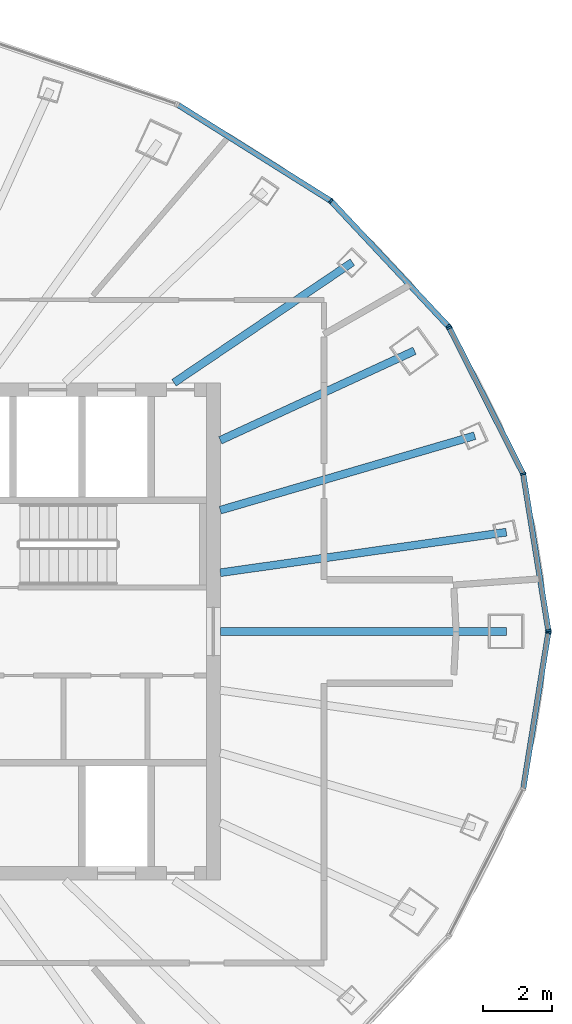
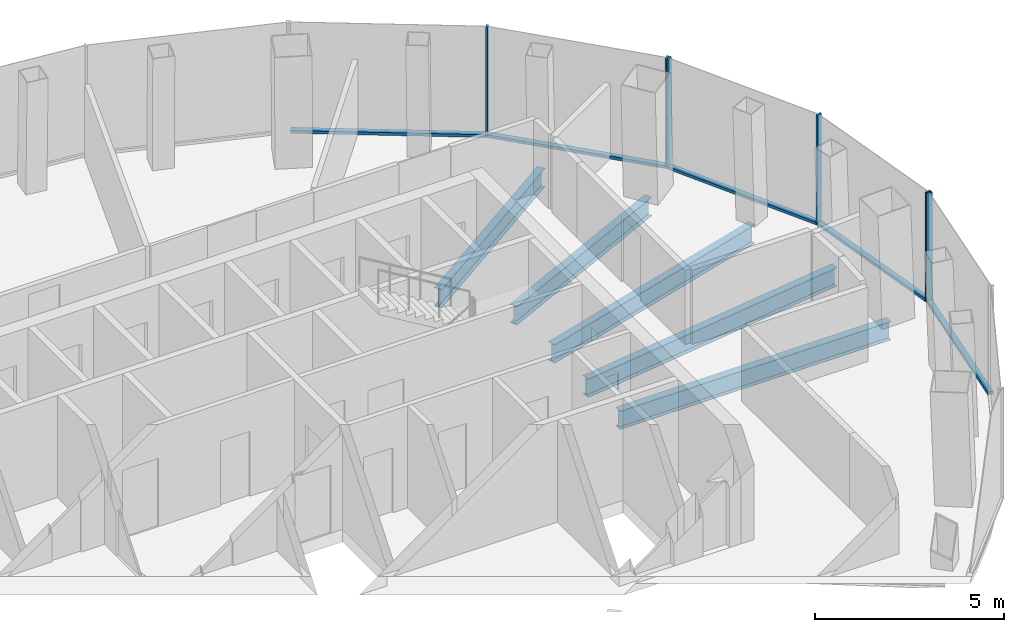
# One storey, part 6 of 12: 11 members, 5 beams, 3 elements without a shape of their own.
"""IFC4 building model written with IfcOpenShell, lengths in metres."""

from ifc_helpers import new_model, si_unit, direction, frame, origin, origin_2d, place, context, subcontext, project, spatial, rectangle, i_section, extrude, material, layer, layer_set, material_profile, profile_set, type_object, element, aggregate, save


model = new_model("IFC4")

# Units and contexts
model_context = context("Model", 3, precision=1e-05, world=origin(), true_north=direction((0.0, 1.0)))
body_context = subcontext(model_context, "Body", "Model", "MODEL_VIEW")
ifc_project = project(units=[si_unit("LENGTHUNIT", "METRE"), si_unit("AREAUNIT", "SQUARE_METRE"), si_unit("VOLUMEUNIT", "CUBIC_METRE"), si_unit("PLANEANGLEUNIT", "RADIAN"), si_unit("MASSUNIT", "GRAM", prefix="KILO")], contexts=[model_context])

# Site, building, storey
site_placement = place(None, origin())
site = spatial("IfcSite", under=ifc_project, at=site_placement, CompositionType="ELEMENT")
building_placement = place(site_placement, origin())
building = spatial("IfcBuilding", under=site, at=building_placement, Name="Siaravel Broadcast Tower", CompositionType="ELEMENT")
storey_placement = place(building_placement, frame((0.0, 0.0, 235.60009765625)))
storey = spatial("IfcBuildingStorey", under=building, at=storey_placement, Name="L57", CompositionType="ELEMENT", Elevation=235.60009765625)

# Beams
ifc_material_1 = material(Name="Steel S355", Category="steel")
ifc_material_profile_1 = material_profile(ifc_material_1, i_section(OverallWidth=0.2275390625, OverallDepth=0.6025390625, WebThickness=0.010498046875, FlangeThickness=0.014892578125, FilletRadius=0.0126953125, at=origin_2d()))
ifc_profile_set_1 = profile_set([ifc_material_profile_1], Name="Steel S355")
beam_type = type_object("IfcBeamType", Name="BM-UB 610x229x101", PredefinedType="BEAM", material=ifc_profile_set_1)
beam_1_placement = place(storey_placement, frame((20.2880859375, 0.0, -0.451416015625), z_axis=(-1.0, 0.0, 0.0), x_axis=(0.0, -1.0, 0.0)))
element("IfcBeam", 1, at=beam_1_placement, inside=storey, type_object=beam_type, Name="Radial beam RB01", PredefinedType="BEAM", context=body_context, shape_type="SweptSolid", body=[
    extrude(i_section(OverallWidth=0.2275390625, OverallDepth=0.6025390625, WebThickness=0.010498046875, FlangeThickness=0.014892578125, FilletRadius=0.0126953125, at=origin_2d()), origin(), (0.0, 0.0, 1.0), 8.2880859375),
])
beam_2_placement = place(storey_placement, frame((20.281005859375, 2.873779296875, -0.451416015625), z_axis=(-0.990110561, -0.140289258, 0.0), x_axis=(0.140289258, -0.990110561, 0.0)))
element("IfcBeam", 2, at=beam_2_placement, inside=storey, type_object=beam_type, Name="Radial beam RB02", PredefinedType="BEAM", context=body_context, shape_type="SweptSolid", body=[
    extrude(i_section(OverallWidth=0.2275390625, OverallDepth=0.6025390625, WebThickness=0.010498046875, FlangeThickness=0.014892578125, FilletRadius=0.0126953125, at=origin_2d()), origin(), (0.0, 0.0, 1.0), 8.36376953125),
])
beam_3_placement = place(storey_placement, frame((19.3671875, 5.6669921875, -0.451416015625), z_axis=(-0.959763126, -0.280810864, 0.0), x_axis=(0.280810864, -0.959763126, 0.0)))
element("IfcBeam", 3, at=beam_3_placement, inside=storey, type_object=beam_type, Name="Radial beam RB03", PredefinedType="BEAM", context=body_context, shape_type="SweptSolid", body=[
    extrude(i_section(OverallWidth=0.2275390625, OverallDepth=0.6025390625, WebThickness=0.010498046875, FlangeThickness=0.014892578125, FilletRadius=0.0126953125, at=origin_2d()), origin(), (0.0, 0.0, 1.0), 7.676025390625),
])
beam_4_placement = place(storey_placement, frame((17.623291015625, 8.1259765625, -0.451416015625), z_axis=(-0.908103573, -0.418745628, 0.0), x_axis=(0.418745628, -0.908103573, 0.0)))
element("IfcBeam", 4, at=beam_4_placement, inside=storey, type_object=beam_type, Name="Radial beam RB04", PredefinedType="BEAM", context=body_context, shape_type="SweptSolid", body=[
    extrude(i_section(OverallWidth=0.2275390625, OverallDepth=0.6025390625, WebThickness=0.010498046875, FlangeThickness=0.014892578125, FilletRadius=0.0126953125, at=origin_2d()), origin(), (0.0, 0.0, 1.0), 6.1923828125),
])
beam_5_placement = place(storey_placement, frame((15.8251953125, 10.688720703125, -0.451416015625), z_axis=(-0.828672445, -0.559733846, 0.0), x_axis=(0.559733846, -0.828672445, 0.0)))
element("IfcBeam", 5, at=beam_5_placement, inside=storey, type_object=beam_type, Name="Radial beam RB05", PredefinedType="BEAM", context=body_context, shape_type="SweptSolid", body=[
    extrude(i_section(OverallWidth=0.2275390625, OverallDepth=0.6025390625, WebThickness=0.010498046875, FlangeThickness=0.014892578125, FilletRadius=0.0126953125, at=origin_2d()), origin(), (0.0, 0.0, 1.0), 6.23291015625),
])

# Curtain wall, members
ifc_material_2 = material(Name="Aluminium 6063-T6", Category="aluminium")
ifc_layer = layer(ifc_material_2, 0.159912109375)
ifc_layer_set = layer_set([ifc_layer], Name="Aluminium 6063-T6")
curtain_wall_type = type_object("IfcCurtainWallType", Name="Unitised curtain wall, zone 4", PredefinedType="NOTDEFINED", material=ifc_layer_set)
curtain_wall_1_placement = place(storey_placement, origin())
curtain_wall_1 = element("IfcCurtainWall", 6, at=curtain_wall_1_placement, inside=storey, type_object=curtain_wall_type, Name="L57 Unitised curtain wall, zone 4 01", PredefinedType="NOTDEFINED")
ifc_material_profile_2 = material_profile(ifc_material_2, rectangle(XDim=0.159912109375, YDim=0.054931640625, at=origin_2d()))
ifc_profile_set_2 = profile_set([ifc_material_profile_2], Name="Aluminium 6063-T6")
member_type_1 = type_object("IfcMemberType", Name="CW-Z4 mullion", PredefinedType="MULLION", material=ifc_profile_set_2)
member_1_placement = place(storey_placement, frame((21.49755859375, 0.027099609375, 0.0), z_axis=(0.0, 0.0, 1.0), x_axis=(-0.987329287, -0.158684841, 0.0)))
member_1 = element("IfcMember", 7, at=member_1_placement, type_object=member_type_1, Name="CW-Z4 mullion 1", PredefinedType="MULLION", context=body_context, shape_type="SweptSolid", body=[
    extrude(rectangle(XDim=0.159912109375, YDim=0.054931640625, at=origin_2d()), origin(), (0.0, 0.0, 1.0), 3.5498046875),
])
member_2_placement = place(storey_placement, frame((20.7685546875, 4.5634765625, 0.0), z_axis=(0.0, 0.0, 1.0), x_axis=(-0.951177556, -0.308644223, 0.0)))
member_2 = element("IfcMember", 8, at=member_2_placement, type_object=member_type_1, Name="CW-Z4 mullion 2", PredefinedType="MULLION", context=body_context, shape_type="SweptSolid", body=[
    extrude(rectangle(XDim=0.159912109375, YDim=0.054931640625, at=origin_2d()), origin(), (0.0, 0.0, 1.0), 3.5498046875),
])
member_3_placement = place(storey_placement, frame((18.63134765625, 8.7900390625, 0.0), z_axis=(0.0, 0.0, 1.0), x_axis=(-0.89239278, -0.451259489, 0.0)))
member_3 = element("IfcMember", 9, at=member_3_placement, type_object=member_type_1, Name="CW-Z4 mullion 3", PredefinedType="MULLION", context=body_context, shape_type="SweptSolid", body=[
    extrude(rectangle(XDim=0.159912109375, YDim=0.054931640625, at=origin_2d()), origin(), (0.0, 0.0, 1.0), 3.5498046875),
])

curtain_wall_2_placement = place(storey_placement, origin())
curtain_wall_2 = element("IfcCurtainWall", 10, at=curtain_wall_2_placement, inside=storey, type_object=curtain_wall_type, Name="L57 Unitised curtain wall, zone 4 02", PredefinedType="NOTDEFINED")
member_4_placement = place(storey_placement, frame((18.60009765625, 8.834716796875, 0.0), z_axis=(0.0, 0.0, 1.0), x_axis=(-0.72980635, -0.683653927, 0.0)))
member_4 = element("IfcMember", 11, at=member_4_placement, type_object=member_type_1, Name="CW-Z4 mullion 1", PredefinedType="MULLION", context=body_context, shape_type="SweptSolid", body=[
    extrude(rectangle(XDim=0.159912109375, YDim=0.054931640625, at=origin_2d()), origin(), (0.0, 0.0, 1.0), 3.5498046875),
])
member_5_placement = place(storey_placement, frame((15.200439453125, 12.463623046875, 0.0), z_axis=(0.0, 0.0, 1.0), x_axis=(-0.636219746, -0.771507897, 0.0)))
member_5 = element("IfcMember", 12, at=member_5_placement, type_object=member_type_1, Name="CW-Z4 mullion 2", PredefinedType="MULLION", context=body_context, shape_type="SweptSolid", body=[
    extrude(rectangle(XDim=0.159912109375, YDim=0.054931640625, at=origin_2d()), origin(), (0.0, 0.0, 1.0), 3.5498046875),
])

# Curtain wall, member
curtain_wall_3_placement = place(storey_placement, origin())
curtain_wall_3 = element("IfcCurtainWall", 13, at=curtain_wall_3_placement, inside=storey, type_object=curtain_wall_type, Name="L57 Unitised curtain wall, zone 4 12", PredefinedType="NOTDEFINED")
member_6_placement = place(storey_placement, frame((21.49755859375, -0.027099609375, 0.0), z_axis=(0.0, 0.0, 1.0), x_axis=(-0.987329287, 0.158684841, 0.0)))
member_6 = element("IfcMember", 14, at=member_6_placement, type_object=member_type_1, Name="CW-Z4 mullion 3", PredefinedType="MULLION", context=body_context, shape_type="SweptSolid", body=[
    extrude(rectangle(XDim=0.159912109375, YDim=0.054931640625, at=origin_2d()), origin(), (0.0, 0.0, 1.0), 3.5498046875),
])

# Member
ifc_material_profile_3 = material_profile(ifc_material_2, rectangle(XDim=0.159912109375, YDim=0.090087890625, at=origin_2d()))
ifc_profile_set_3 = profile_set([ifc_material_profile_3], Name="Aluminium 6063-T6")
member_type_2 = type_object("IfcMemberType", Name="CW-Z4 transom", PredefinedType="USERDEFINED", material=ifc_profile_set_3)
member_7_placement = place(storey_placement, frame((21.493408203125, 0.05419921875, 0.044921875), z_axis=(-0.158701499, 0.98732661, 0.0), x_axis=(-0.98732661, -0.158701499, 0.0)))
member_7 = element("IfcMember", 15, at=member_7_placement, type_object=member_type_2, Name="CW-Z4 transom 1", ObjectType="TRANSOM", PredefinedType="USERDEFINED", context=body_context, shape_type="SweptSolid", body=[
    extrude(rectangle(XDim=0.159912109375, YDim=0.090087890625, at=origin_2d()), origin(), (0.0, 0.0, 1.0), 4.539794921875),
])

member_8_placement = place(storey_placement, frame((20.756103515625, 4.587890625, 0.044921875), z_axis=(-0.451235344, 0.892404989, 0.0), x_axis=(-0.892404989, -0.451235344, 0.0)))
member_8 = element("IfcMember", 16, at=member_8_placement, type_object=member_type_2, Name="CW-Z4 transom 2", ObjectType="TRANSOM", PredefinedType="USERDEFINED", context=body_context, shape_type="SweptSolid", body=[
    extrude(rectangle(XDim=0.159912109375, YDim=0.090087890625, at=origin_2d()), origin(), (0.0, 0.0, 1.0), 4.68115234375),
])

aggregate(curtain_wall_1, [member_1, member_2, member_3, member_7, member_8])

member_9_placement = place(storey_placement, frame((18.581298828125, 8.854736328125, 0.044921875), z_axis=(-0.68367025, 0.729791059, 0.0), x_axis=(-0.729791059, -0.68367025, 0.0)))
member_9 = element("IfcMember", 17, at=member_9_placement, type_object=member_type_2, Name="CW-Z4 transom 1", ObjectType="TRANSOM", PredefinedType="USERDEFINED", context=body_context, shape_type="SweptSolid", body=[
    extrude(rectangle(XDim=0.159912109375, YDim=0.090087890625, at=origin_2d()), origin(), (0.0, 0.0, 1.0), 4.917724609375),
])

member_10_placement = place(storey_placement, frame((15.17724609375, 12.478271484375, 0.044921875), z_axis=(-0.846644441, 0.53215899, 0.0), x_axis=(-0.53215899, -0.846644441, 0.0)))
member_10 = element("IfcMember", 18, at=member_10_placement, type_object=member_type_2, Name="CW-Z4 transom 2", ObjectType="TRANSOM", PredefinedType="USERDEFINED", context=body_context, shape_type="SweptSolid", body=[
    extrude(rectangle(XDim=0.159912109375, YDim=0.090087890625, at=origin_2d()), origin(), (0.0, 0.0, 1.0), 5.17724609375),
])

aggregate(curtain_wall_2, [member_4, member_5, member_9, member_10])

member_11_placement = place(storey_placement, frame((20.77294921875, -4.536376953125, 0.044921875), z_axis=(0.158701499, 0.98732661, 0.0), x_axis=(-0.98732661, 0.158701499, 0.0)))
member_11 = element("IfcMember", 19, at=member_11_placement, type_object=member_type_2, Name="CW-Z4 transom 2", ObjectType="TRANSOM", PredefinedType="USERDEFINED", context=body_context, shape_type="SweptSolid", body=[
    extrude(rectangle(XDim=0.159912109375, YDim=0.090087890625, at=origin_2d()), origin(), (0.0, 0.0, 1.0), 4.539794921875),
])

aggregate(curtain_wall_3, [member_6, member_11])

save(model, "model.ifc")
